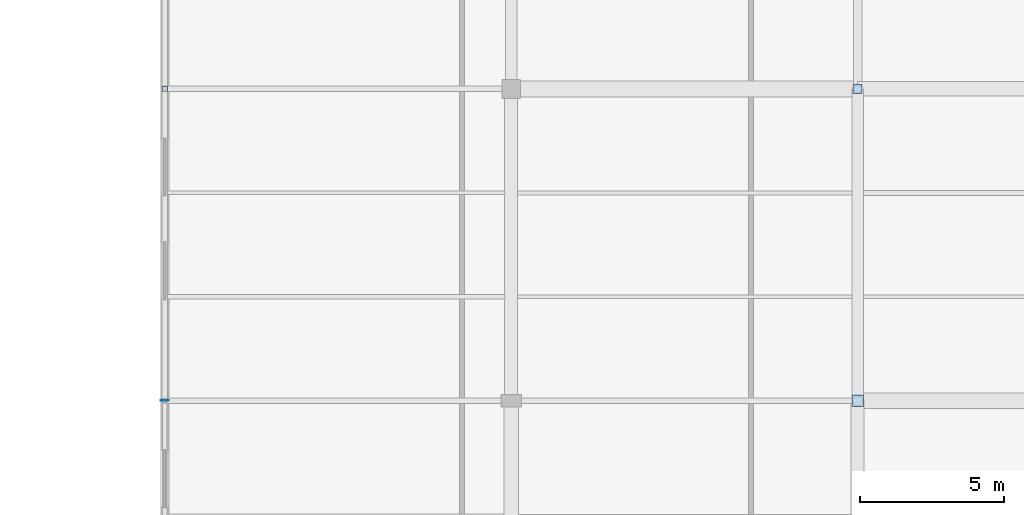
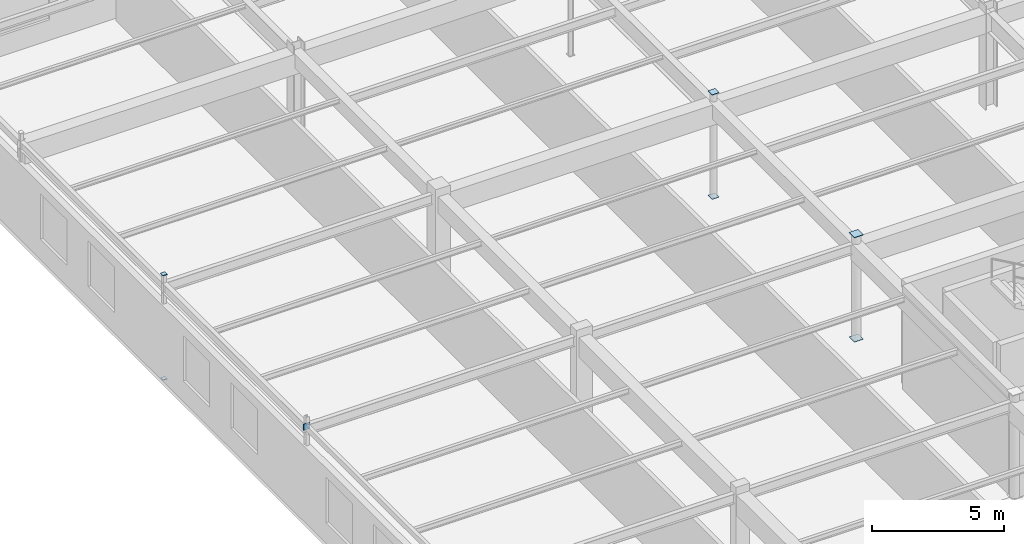
# One storey, part 140 of 199: 7 plates.
"""IFC4 building model written with IfcOpenShell, lengths in metres."""

from ifc_helpers import new_model, si_unit, direction, frame, origin, origin_2d, place, context, subcontext, project, spatial, rectangle, extrude, material, layer, layer_set, type_object, element, save


model = new_model("IFC4")

# Units and contexts
model_context = context("Model", 3, precision=1e-05, world=origin(), true_north=direction((0.0, 1.0)))
body_context = subcontext(model_context, "Body", "Model", "MODEL_VIEW")
ifc_project = project(units=[si_unit("LENGTHUNIT", "METRE"), si_unit("AREAUNIT", "SQUARE_METRE"), si_unit("VOLUMEUNIT", "CUBIC_METRE"), si_unit("PLANEANGLEUNIT", "RADIAN"), si_unit("MASSUNIT", "GRAM", prefix="KILO")], contexts=[model_context])

# Site, building, storey
site_placement = place(None, origin())
site = spatial("IfcSite", under=ifc_project, at=site_placement, CompositionType="ELEMENT")
building_placement = place(site_placement, origin())
building = spatial("IfcBuilding", under=site, at=building_placement, Name="Tarnwether General Hospital", CompositionType="ELEMENT")
storey_placement = place(building_placement, origin())
storey = spatial("IfcBuildingStorey", under=building, at=storey_placement, Name="L00", CompositionType="ELEMENT", Elevation=0.0)

# Plates
ifc_material = material(Name="Steel Grade 350 (350 MPa)", Category="steel")
ifc_layer = layer(ifc_material, 0.02490234375)
ifc_layer_set = layer_set([ifc_layer], Name="Steel Grade 350 (350 MPa)")
plate_type = type_object("IfcPlateType", Name="PT-GUS2", PredefinedType="USERDEFINED", material=ifc_layer_set)
for number, where, z_axis, x_axis, name in (
    (1, (0.0, 104.39990234375, -0.02490234375), (0.0, 0.0, 1.0), (1.0, 0.0, 0.0), "Hollow Section Welded End Cap Plate 0023"),
    (2, (0.0, 104.39990234375, 4.800048828125), (0.0, 0.0, 1.0), (1.0, 0.0, 0.0), "Hollow Section Welded End Cap Plate 0024"),
):
    element("IfcPlate", number, at=place(storey_placement, frame(where, z_axis=z_axis, x_axis=x_axis)), inside=storey, type_object=plate_type, Name=name, ObjectType="GUSSET", PredefinedType="USERDEFINED", context=body_context, shape_type="SweptSolid", body=[
        extrude(rectangle(XDim=0.18994140625, YDim=0.18994140625, at=origin_2d()), origin(), (0.0, 0.0, 1.0), 0.02490234375),
    ])
for number, where, z_axis, x_axis, name in (
    (3, (24.0, 93.60009765625, -0.02490234375), (0.0, 0.0, 1.0), (1.0, 0.0, 0.0), "Hollow Section Welded End Cap Plate 0053"),
    (4, (24.0, 93.60009765625, 4.800048828125), (0.0, 0.0, 1.0), (1.0, 0.0, 0.0), "Hollow Section Welded End Cap Plate 0054"),
):
    element("IfcPlate", number, at=place(storey_placement, frame(where, z_axis=z_axis, x_axis=x_axis)), inside=storey, type_object=plate_type, Name=name, ObjectType="GUSSET", PredefinedType="USERDEFINED", context=body_context, shape_type="SweptSolid", body=[
        extrude(rectangle(XDim=0.39599609375, YDim=0.39599609375, at=origin_2d()), origin(), (0.0, 0.0, 1.0), 0.02490234375),
    ])
for number, where, z_axis, x_axis, name in (
    (5, (24.0, 104.39990234375, -0.02490234375), (0.0, 0.0, 1.0), (1.0, 0.0, 0.0), "Hollow Section Welded End Cap Plate 0059"),
    (6, (24.0, 104.39990234375, 4.800048828125), (0.0, 0.0, 1.0), (1.0, 0.0, 0.0), "Hollow Section Welded End Cap Plate 0060"),
):
    element("IfcPlate", number, at=place(storey_placement, frame(where, z_axis=z_axis, x_axis=x_axis)), inside=storey, type_object=plate_type, Name=name, ObjectType="GUSSET", PredefinedType="USERDEFINED", context=body_context, shape_type="SweptSolid", body=[
        extrude(rectangle(XDim=0.31298828125, YDim=0.31298828125, at=origin_2d()), origin(), (0.0, 0.0, 1.0), 0.02490234375),
    ])
plate_placement = place(storey_placement, frame((0.0, 93.612548828125, 4.175048828125), z_axis=(0.0, 0.0, 1.0), x_axis=(0.0, 1.0, 0.0)))
element("IfcPlate", 7, at=plate_placement, inside=storey, type_object=plate_type, Name="Hollow Section Welded End Cap Plate 0864", ObjectType="GUSSET", PredefinedType="USERDEFINED", context=body_context, shape_type="SweptSolid", body=[
    extrude(rectangle(XDim=0.02490234375, YDim=0.2900390625, at=origin_2d()), origin(), (0.0, 0.0, 1.0), 0.2900390625),
])

save(model, "model.ifc")
